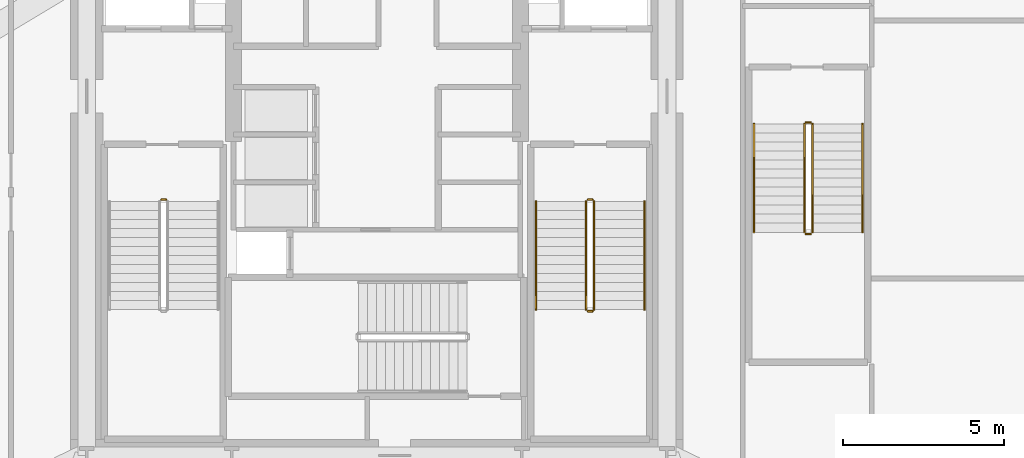
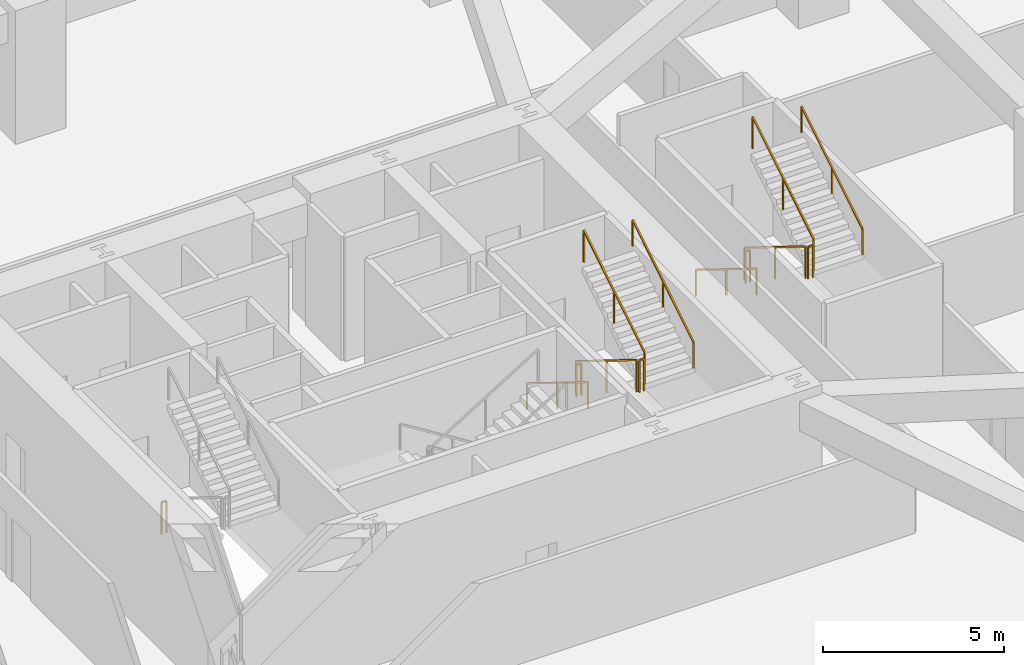
# One storey, part 8 of 9: 13 railings.
"""IFC4 building model written with IfcOpenShell, lengths in metres."""

from ifc_helpers import new_model, si_unit, direction, frame, origin, origin_2d, place, context, subcontext, project, spatial, rectangle, extrude, material, layer, layer_set, type_object, element, save


model = new_model("IFC4")

# Units and contexts
model_context = context("Model", 3, precision=1e-05, world=origin(), true_north=direction((0.0, 1.0)))
body_context = subcontext(model_context, "Body", "Model", "MODEL_VIEW")
ifc_project = project(units=[si_unit("LENGTHUNIT", "METRE"), si_unit("AREAUNIT", "SQUARE_METRE"), si_unit("VOLUMEUNIT", "CUBIC_METRE"), si_unit("PLANEANGLEUNIT", "RADIAN"), si_unit("MASSUNIT", "GRAM", prefix="KILO")], contexts=[model_context])

# Site, building, storey
site_placement = place(None, origin())
site = spatial("IfcSite", under=ifc_project, at=site_placement, CompositionType="ELEMENT")
building_placement = place(site_placement, origin())
building = spatial("IfcBuilding", under=site, at=building_placement, Name="Kilnhurst Terrace Hotel", CompositionType="ELEMENT")
storey_placement = place(building_placement, frame((0.0, 0.0, -4.5)))
storey = spatial("IfcBuildingStorey", under=building, at=storey_placement, Name="B1", CompositionType="ELEMENT", Elevation=-4.5)

# Railings
ifc_material_1 = material(Name="Powder-Coated Steel ASTM A500 Grade B", Category="steel")
ifc_layer_1 = layer(ifc_material_1, 0.050048828125, Name="Powder-Coated Steel ASTM A500 Grade B")
ifc_layer_set_1 = layer_set([ifc_layer_1], Name="Powder-Coated Steel ASTM A500 Grade B")
railing_type_1 = type_object("IfcRailingType", Name="RLG-ST-GRD-1100", PredefinedType="GUARDRAIL", material=ifc_layer_set_1)
railing_1_placement = place(storey_placement, frame((-6.68994140625, 0.43994140625, 0.0)))
element("IfcRailing", 1, at=railing_1_placement, inside=storey, type_object=railing_type_1, Name="B1 ST-1 stair guard 4", PredefinedType="GUARDRAIL", context=body_context, shape_type="SweptSolid", body=[
    extrude(rectangle(XDim=0.048095703125, YDim=0.048095703125, at=origin_2d()), frame((0.0, 0.0, 1.076171875), z_axis=(1.0, 0.0, 0.0), x_axis=(0.0, 1.0, 0.0)), (0.0, 0.0, 1.0), 0.14990234375),
    extrude(rectangle(XDim=0.0419921875, YDim=0.0419921875, at=origin_2d()), origin(), (0.0, 0.0, 1.0), 1.052001953125),
    extrude(rectangle(XDim=0.0419921875, YDim=0.0419921875, at=origin_2d()), frame((0.14990234375, 0.0, 0.0)), (0.0, 0.0, 1.0), 1.052001953125),
])
railing_2_placement = place(storey_placement, frame((6.489990234375, 0.389892578125, 0.173095703125)))
element("IfcRailing", 2, at=railing_2_placement, inside=storey, type_object=railing_type_1, Name="B1 ST-2 stair guard 1", PredefinedType="GUARDRAIL", context=body_context, shape_type="SweptSolid", body=[
    extrude(rectangle(XDim=0.048095703125, YDim=0.048095703125, at=origin_2d()), frame((0.0, 0.0, 1.076171875), z_axis=(0.0, -0.850606129759, 0.525803396734), x_axis=(1.0, 0.0, 0.0)), (0.0, 0.0, 1.0), 3.949951171875),
    extrude(rectangle(XDim=0.0419921875, YDim=0.0419921875, at=origin_2d()), origin(), (0.0, 0.0, 1.0), 1.052001953125),
    extrude(rectangle(XDim=0.0419921875, YDim=0.0419921875, at=origin_2d()), frame((0.0, -1.679931640625, 1.03857421875)), (0.0, 0.0, 1.0), 1.052001953125),
    extrude(rectangle(XDim=0.0419921875, YDim=0.0419921875, at=origin_2d()), frame((0.0, -3.35986328125, 2.076904296875)), (0.0, 0.0, 1.0), 1.052001953125),
])
railing_3_placement = place(storey_placement, frame((6.5400390625, -3.02001953125, 2.25)))
element("IfcRailing", 3, at=railing_3_placement, inside=storey, type_object=railing_type_1, Name="B1 ST-2 stair guard 2", PredefinedType="GUARDRAIL", context=body_context, shape_type="SweptSolid", body=[
    extrude(rectangle(XDim=0.048095703125, YDim=0.048095703125, at=origin_2d()), frame((0.0, 0.0, 1.076171875), z_axis=(1.0, 0.0, 0.0), x_axis=(0.0, 1.0, 0.0)), (0.0, 0.0, 1.0), 0.14990234375),
    extrude(rectangle(XDim=0.0419921875, YDim=0.0419921875, at=origin_2d()), origin(), (0.0, 0.0, 1.0), 1.052001953125),
    extrude(rectangle(XDim=0.0419921875, YDim=0.0419921875, at=origin_2d()), frame((0.14990234375, 0.0, 0.0)), (0.0, 0.0, 1.0), 1.052001953125),
])
railing_4_placement = place(storey_placement, frame((6.739990234375, -2.969970703125, 2.423095703125)))
element("IfcRailing", 4, at=railing_4_placement, inside=storey, type_object=railing_type_1, Name="B1 ST-2 stair guard 3", PredefinedType="GUARDRAIL", context=body_context, shape_type="SweptSolid", body=[
    extrude(rectangle(XDim=0.048095703125, YDim=0.048095703125, at=origin_2d()), frame((0.0, 0.0, 1.076171875), z_axis=(0.0, 0.850606129759, 0.525803396734), x_axis=(-1.0, 0.0, 0.0)), (0.0, 0.0, 1.0), 3.949951171875),
    extrude(rectangle(XDim=0.0419921875, YDim=0.0419921875, at=origin_2d()), origin(), (0.0, 0.0, 1.0), 1.052001953125),
    extrude(rectangle(XDim=0.0419921875, YDim=0.0419921875, at=origin_2d()), frame((0.0, 1.679931640625, 1.03857421875)), (0.0, 0.0, 1.0), 1.052001953125),
    extrude(rectangle(XDim=0.0419921875, YDim=0.0419921875, at=origin_2d()), frame((0.0, 3.35986328125, 2.076904296875)), (0.0, 0.0, 1.0), 1.052001953125),
])
railing_5_placement = place(storey_placement, frame((6.5400390625, 0.43994140625, 0.0)))
element("IfcRailing", 5, at=railing_5_placement, inside=storey, type_object=railing_type_1, Name="B1 ST-2 stair guard 4", PredefinedType="GUARDRAIL", context=body_context, shape_type="SweptSolid", body=[
    extrude(rectangle(XDim=0.048095703125, YDim=0.048095703125, at=origin_2d()), frame((0.0, 0.0, 1.076171875), z_axis=(1.0, 0.0, 0.0), x_axis=(0.0, 1.0, 0.0)), (0.0, 0.0, 1.0), 0.14990234375),
    extrude(rectangle(XDim=0.0419921875, YDim=0.0419921875, at=origin_2d()), origin(), (0.0, 0.0, 1.0), 1.052001953125),
    extrude(rectangle(XDim=0.0419921875, YDim=0.0419921875, at=origin_2d()), frame((0.14990234375, 0.0, 0.0)), (0.0, 0.0, 1.0), 1.052001953125),
])
railing_6_placement = place(storey_placement, frame((13.260009765625, 2.7900390625, 0.173095703125)))
element("IfcRailing", 6, at=railing_6_placement, inside=storey, type_object=railing_type_1, Name="B1 ST-4 stair guard 1", PredefinedType="GUARDRAIL", context=body_context, shape_type="SweptSolid", body=[
    extrude(rectangle(XDim=0.048095703125, YDim=0.048095703125, at=origin_2d()), frame((0.0, 0.0, 1.076171875), z_axis=(0.0, -0.850623216509, 0.525775754039), x_axis=(1.0, 0.0, 0.0)), (0.0, 0.0, 1.0), 3.9501953125),
    extrude(rectangle(XDim=0.0419921875, YDim=0.0419921875, at=origin_2d()), origin(), (0.0, 0.0, 1.0), 1.052001953125),
    extrude(rectangle(XDim=0.0419921875, YDim=0.0419921875, at=origin_2d()), frame((0.0, -1.68017578125, 1.03857421875)), (0.0, 0.0, 1.0), 1.052001953125),
    extrude(rectangle(XDim=0.0419921875, YDim=0.0419921875, at=origin_2d()), frame((0.0, -3.360107421875, 2.076904296875)), (0.0, 0.0, 1.0), 1.052001953125),
])
railing_7_placement = place(storey_placement, frame((13.31005859375, -0.6201171875, 2.25)))
element("IfcRailing", 7, at=railing_7_placement, inside=storey, type_object=railing_type_1, Name="B1 ST-4 stair guard 2", PredefinedType="GUARDRAIL", context=body_context, shape_type="SweptSolid", body=[
    extrude(rectangle(XDim=0.048095703125, YDim=0.048095703125, at=origin_2d()), frame((0.0, 0.0, 1.076171875), z_axis=(1.0, 0.0, 0.0), x_axis=(0.0, 1.0, 0.0)), (0.0, 0.0, 1.0), 0.14990234375),
    extrude(rectangle(XDim=0.0419921875, YDim=0.0419921875, at=origin_2d()), origin(), (0.0, 0.0, 1.0), 1.052001953125),
    extrude(rectangle(XDim=0.0419921875, YDim=0.0419921875, at=origin_2d()), frame((0.14990234375, 0.0, 0.0)), (0.0, 0.0, 1.0), 1.052001953125),
])
railing_8_placement = place(storey_placement, frame((13.510009765625, -0.570068359375, 2.423095703125)))
element("IfcRailing", 8, at=railing_8_placement, inside=storey, type_object=railing_type_1, Name="B1 ST-4 stair guard 3", PredefinedType="GUARDRAIL", context=body_context, shape_type="SweptSolid", body=[
    extrude(rectangle(XDim=0.048095703125, YDim=0.048095703125, at=origin_2d()), frame((0.0, 0.0, 1.076171875), z_axis=(0.0, 0.850623216509, 0.525775754039), x_axis=(-1.0, 0.0, 0.0)), (0.0, 0.0, 1.0), 3.9501953125),
    extrude(rectangle(XDim=0.0419921875, YDim=0.0419921875, at=origin_2d()), origin(), (0.0, 0.0, 1.0), 1.052001953125),
    extrude(rectangle(XDim=0.0419921875, YDim=0.0419921875, at=origin_2d()), frame((0.0, 1.68017578125, 1.03857421875)), (0.0, 0.0, 1.0), 1.052001953125),
    extrude(rectangle(XDim=0.0419921875, YDim=0.0419921875, at=origin_2d()), frame((0.0, 3.360107421875, 2.076904296875)), (0.0, 0.0, 1.0), 1.052001953125),
])
railing_9_placement = place(storey_placement, frame((13.31005859375, 2.840087890625, 0.0)))
element("IfcRailing", 9, at=railing_9_placement, inside=storey, type_object=railing_type_1, Name="B1 ST-4 stair guard 4", PredefinedType="GUARDRAIL", context=body_context, shape_type="SweptSolid", body=[
    extrude(rectangle(XDim=0.048095703125, YDim=0.048095703125, at=origin_2d()), frame((0.0, 0.0, 1.076171875), z_axis=(1.0, 0.0, 0.0), x_axis=(0.0, 1.0, 0.0)), (0.0, 0.0, 1.0), 0.14990234375),
    extrude(rectangle(XDim=0.0419921875, YDim=0.0419921875, at=origin_2d()), origin(), (0.0, 0.0, 1.0), 1.052001953125),
    extrude(rectangle(XDim=0.0419921875, YDim=0.0419921875, at=origin_2d()), frame((0.14990234375, 0.0, 0.0)), (0.0, 0.0, 1.0), 1.052001953125),
])
ifc_material_2 = material(Name="Brushed Stainless Steel AISI 304", Category="steel")
ifc_layer_2 = layer(ifc_material_2, 0.048095703125, Name="Brushed Stainless Steel AISI 304")
ifc_layer_set_2 = layer_set([ifc_layer_2], Name="Brushed Stainless Steel AISI 304")
railing_type_2 = type_object("IfcRailingType", Name="RLG-ST-HRL-900", PredefinedType="HANDRAIL", material=ifc_layer_set_2)
railing_10_placement = place(storey_placement, frame((4.929931640625, 0.389892578125, 0.173095703125)))
element("IfcRailing", 10, at=railing_10_placement, inside=storey, type_object=railing_type_2, Name="B1 ST-2 stair handrail 1", PredefinedType="HANDRAIL", context=body_context, shape_type="SweptSolid", body=[
    extrude(rectangle(XDim=0.048095703125, YDim=0.048095703125, at=origin_2d()), frame((0.0, 0.0, 0.8759765625), z_axis=(0.0, -0.850606129759, 0.525803396734), x_axis=(1.0, 0.0, 0.0)), (0.0, 0.0, 1.0), 3.949951171875),
    extrude(rectangle(XDim=0.0419921875, YDim=0.0419921875, at=origin_2d()), origin(), (0.0, 0.0, 1.0), 0.851806640625),
    extrude(rectangle(XDim=0.0419921875, YDim=0.0419921875, at=origin_2d()), frame((0.0, -1.679931640625, 1.03857421875)), (0.0, 0.0, 1.0), 0.851806640625),
    extrude(rectangle(XDim=0.0419921875, YDim=0.0419921875, at=origin_2d()), frame((0.0, -3.35986328125, 2.076904296875)), (0.0, 0.0, 1.0), 0.851806640625),
])
railing_11_placement = place(storey_placement, frame((8.300048828125, -2.969970703125, 2.423095703125)))
element("IfcRailing", 11, at=railing_11_placement, inside=storey, type_object=railing_type_2, Name="B1 ST-2 stair handrail 2", PredefinedType="HANDRAIL", context=body_context, shape_type="SweptSolid", body=[
    extrude(rectangle(XDim=0.048095703125, YDim=0.048095703125, at=origin_2d()), frame((0.0, 0.0, 0.8759765625), z_axis=(0.0, 0.850606129759, 0.525803396734), x_axis=(-1.0, 0.0, 0.0)), (0.0, 0.0, 1.0), 3.949951171875),
    extrude(rectangle(XDim=0.0419921875, YDim=0.0419921875, at=origin_2d()), origin(), (0.0, 0.0, 1.0), 0.851806640625),
    extrude(rectangle(XDim=0.0419921875, YDim=0.0419921875, at=origin_2d()), frame((0.0, 1.679931640625, 1.03857421875)), (0.0, 0.0, 1.0), 0.851806640625),
    extrude(rectangle(XDim=0.0419921875, YDim=0.0419921875, at=origin_2d()), frame((0.0, 3.35986328125, 2.076904296875)), (0.0, 0.0, 1.0), 0.851806640625),
])
railing_12_placement = place(storey_placement, frame((11.699951171875, 2.7900390625, 0.173095703125)))
element("IfcRailing", 12, at=railing_12_placement, inside=storey, type_object=railing_type_2, Name="B1 ST-4 stair handrail 1", PredefinedType="HANDRAIL", context=body_context, shape_type="SweptSolid", body=[
    extrude(rectangle(XDim=0.048095703125, YDim=0.048095703125, at=origin_2d()), frame((0.0, 0.0, 0.8759765625), z_axis=(0.0, -0.850623216509, 0.525775754039), x_axis=(1.0, 0.0, 0.0)), (0.0, 0.0, 1.0), 3.9501953125),
    extrude(rectangle(XDim=0.0419921875, YDim=0.0419921875, at=origin_2d()), origin(), (0.0, 0.0, 1.0), 0.851806640625),
    extrude(rectangle(XDim=0.0419921875, YDim=0.0419921875, at=origin_2d()), frame((0.0, -1.68017578125, 1.03857421875)), (0.0, 0.0, 1.0), 0.851806640625),
    extrude(rectangle(XDim=0.0419921875, YDim=0.0419921875, at=origin_2d()), frame((0.0, -3.360107421875, 2.076904296875)), (0.0, 0.0, 1.0), 0.851806640625),
])
railing_13_placement = place(storey_placement, frame((15.070068359375, -0.570068359375, 2.423095703125)))
element("IfcRailing", 13, at=railing_13_placement, inside=storey, type_object=railing_type_2, Name="B1 ST-4 stair handrail 2", PredefinedType="HANDRAIL", context=body_context, shape_type="SweptSolid", body=[
    extrude(rectangle(XDim=0.048095703125, YDim=0.048095703125, at=origin_2d()), frame((0.0, 0.0, 0.8759765625), z_axis=(0.0, 0.850623216509, 0.525775754039), x_axis=(-1.0, 0.0, 0.0)), (0.0, 0.0, 1.0), 3.9501953125),
    extrude(rectangle(XDim=0.0419921875, YDim=0.0419921875, at=origin_2d()), origin(), (0.0, 0.0, 1.0), 0.851806640625),
    extrude(rectangle(XDim=0.0419921875, YDim=0.0419921875, at=origin_2d()), frame((0.0, 1.68017578125, 1.03857421875)), (0.0, 0.0, 1.0), 0.851806640625),
    extrude(rectangle(XDim=0.0419921875, YDim=0.0419921875, at=origin_2d()), frame((0.0, 3.360107421875, 2.076904296875)), (0.0, 0.0, 1.0), 0.851806640625),
])

save(model, "model.ifc")
